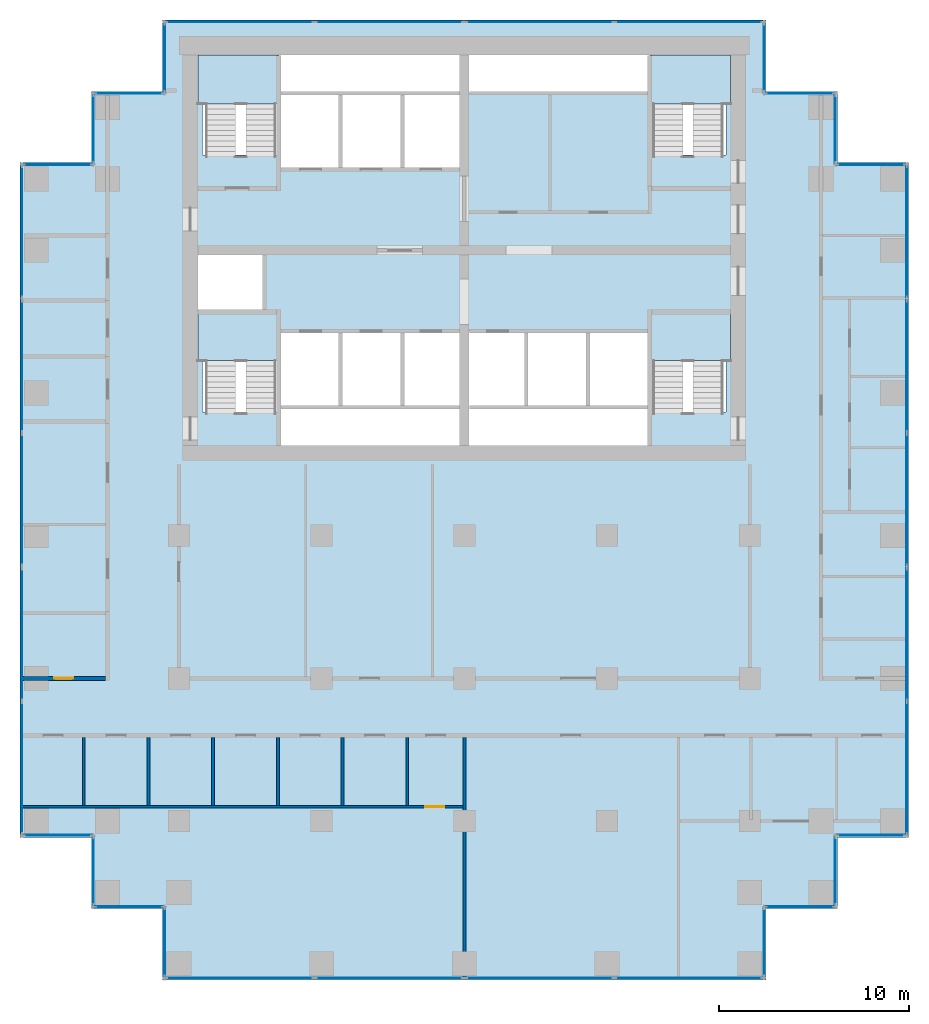
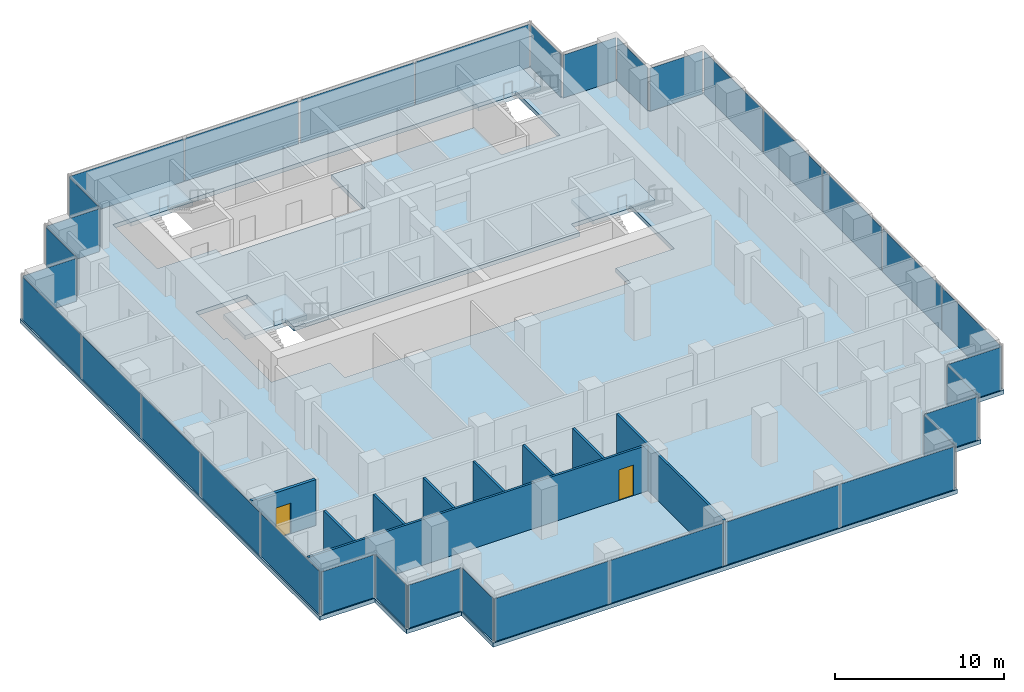
# One storey, part 6 of 11: 34 plates, 9 walls, 5 slabs, 2 doors, 2 openings, 30 elements without a shape of their own.
"""IFC4 building model written with IfcOpenShell, lengths in metres."""

import ifcopenshell
import ifcopenshell.guid

model = None  # the IFC model being written
_history = None  # IfcOwnerHistory: only IFC2X3 demands one
_inside = {}  # id of a spatial element -> (the spatial element, [elements in it])
_under = {}  # id of a project, library or spatial element -> (it, [spatial elements below it])
_declared = {}  # id of a project -> (the project, [libraries it declares])
_typed = {}  # id of a type object -> (the type object, [elements of that type])
_made_of = {}  # id of a material, layer set ... -> (it, [elements and type objects made of it])


def new_model(schema):
    """Start an empty IFC model of exactly this schema.

    Asked for "IFC4X3", IfcOpenShell would pick the latest addendum, in which some entities
    have other attributes; the version numbers below select the first issue.
    IFC2X3 requires an IfcOwnerHistory on every rooted entity: one is made here for all.
    """
    global model, _history
    if schema == "IFC4X3":
        model = ifcopenshell.file(schema_version=(4, 3, 0, 0))
    else:
        model = ifcopenshell.file(schema=schema)
    _inside.clear()
    _under.clear()
    _declared.clear()
    _typed.clear()
    _made_of.clear()
    _history = None
    if model.schema == "IFC2X3":
        org = make("IfcOrganization", Name="unknown")
        user = make(
            "IfcPersonAndOrganization",
            ThePerson=make("IfcPerson", FamilyName="unknown"),
            TheOrganization=org,
        )
        app = make(
            "IfcApplication",
            ApplicationDeveloper=org,
            Version="unknown",
            ApplicationFullName="unknown",
            ApplicationIdentifier="unknown",
        )
        _history = make(
            "IfcOwnerHistory",
            OwningUser=user,
            OwningApplication=app,
            ChangeAction="ADDED",
            CreationDate=0,
        )
    return model


def make(cls, **values):
    """One entity of the class cls with the attributes given. An attribute that is None is left unset."""
    return model.create_entity(
        cls, **{name: value for name, value in values.items() if value is not None}
    )


def rooted(cls, **values):
    """An entity with a GlobalId (a new one), such as an element, a storey or a relation."""
    return make(cls, GlobalId=ifcopenshell.guid.new(), OwnerHistory=_history, **values)


def si_unit(unit_type, name, prefix=None):
    """IfcSIUnit, for example si_unit("LENGTHUNIT", "METRE", prefix="MILLI")."""
    return make("IfcSIUnit", UnitType=unit_type, Prefix=prefix, Name=name)


def assignment(units):
    """IfcUnitAssignment: the units of a project."""
    return None if units is None else make("IfcUnitAssignment", Units=units)


def point(xyz):
    """IfcCartesianPoint."""
    return None if xyz is None else make("IfcCartesianPoint", Coordinates=xyz)


def direction(xyz):
    """IfcDirection."""
    return None if xyz is None else make("IfcDirection", DirectionRatios=xyz)


def frame(location, z_axis=None, x_axis=None):
    """IfcAxis2Placement3D, a coordinate frame: its origin and axes. An axis left out is left unset."""
    return make(
        "IfcAxis2Placement3D",
        Location=point(location),
        Axis=direction(z_axis),
        RefDirection=direction(x_axis),
    )


def frame_2d(location, x_axis=None):
    """IfcAxis2Placement2D, a coordinate frame in the plane: its origin and x axis."""
    return make(
        "IfcAxis2Placement2D", Location=point(location), RefDirection=direction(x_axis)
    )


def origin():
    """The frame at (0, 0, 0) with its axes left unset."""
    return frame((0.0, 0.0, 0.0))


def origin_2d():
    """The frame at (0, 0) in the plane with its x axis left unset."""
    return frame_2d((0.0, 0.0))


def place(relative_to, where):
    """IfcLocalPlacement: puts the frame where relative to a parent placement (None: the world)."""
    return make(
        "IfcLocalPlacement", PlacementRelTo=relative_to, RelativePlacement=where
    )


def context(
    kind, dimensions, precision=None, world=None, true_north=None, identifier=None
):
    """IfcGeometricRepresentationContext, for example the 3D "Model" context."""
    return make(
        "IfcGeometricRepresentationContext",
        ContextIdentifier=identifier,
        ContextType=kind,
        CoordinateSpaceDimension=dimensions,
        Precision=precision,
        WorldCoordinateSystem=world,
        TrueNorth=true_north,
    )


def subcontext(parent, identifier, kind, view, scale=None):
    """IfcGeometricRepresentationSubContext, for example "Body" below "Model"."""
    return make(
        "IfcGeometricRepresentationSubContext",
        ContextIdentifier=identifier,
        ContextType=kind,
        ParentContext=parent,
        TargetScale=scale,
        TargetView=view,
    )


def project(units=None, contexts=None):
    """IfcProject with its units and contexts."""
    return rooted(
        "IfcProject",
        Name="project",
        RepresentationContexts=contexts,
        UnitsInContext=assignment(units),
    )


def spatial(cls, under=None, at=None, **own):
    """A site, building, storey or space (cls), placed at a placement, below another one or the project."""
    s = rooted(cls, ObjectPlacement=at, **own)
    if under is not None:
        _under.setdefault(under.id(), (under, []))[1].append(s)
    return s


def polyline(points):
    """IfcPolyline through the points."""
    return make("IfcPolyline", Points=[point(p) for p in points])


def profile(cls, at=None, kind="AREA", **sizes):
    """A parametric profile (cls). Its sizes go by their IFC names, for example OverallWidth=200.0."""
    return make(cls, ProfileType=kind, Position=at, **sizes)


def rectangle(**sizes):
    """IfcRectangleProfileDef."""
    return profile("IfcRectangleProfileDef", **sizes)


def outline(outer, holes=None, kind="AREA"):
    """IfcArbitraryClosedProfileDef: a profile drawn as a closed curve; with holes, ...WithVoids."""
    if holes is None:
        return make("IfcArbitraryClosedProfileDef", ProfileType=kind, OuterCurve=outer)
    return make(
        "IfcArbitraryProfileDefWithVoids",
        ProfileType=kind,
        OuterCurve=outer,
        InnerCurves=holes,
    )


def extrude(swept, where, along, depth):
    """IfcExtrudedAreaSolid: the profile swept, set in the frame where, extruded along a direction by depth."""
    return make(
        "IfcExtrudedAreaSolid",
        SweptArea=swept,
        Position=where,
        ExtrudedDirection=direction(along),
        Depth=depth,
    )


def shape(context_of_items, identifier, shape_type, items):
    """IfcShapeRepresentation: the items that make up one representation, for example the "Body"."""
    return make(
        "IfcShapeRepresentation",
        ContextOfItems=context_of_items,
        RepresentationIdentifier=identifier,
        RepresentationType=shape_type,
        Items=items,
    )


def material(Name=None, Category=None):
    """IfcMaterial."""
    return make("IfcMaterial", Name=Name, Category=Category)


def layer(
    of_material, thickness, ventilated=None, Name=None, Category=None, Priority=None
):
    """IfcMaterialLayer: one layer of a wall or slab, of a material (None: an air gap)."""
    return make(
        "IfcMaterialLayer",
        Material=of_material,
        LayerThickness=thickness,
        IsVentilated=ventilated,
        Name=Name,
        Category=Category,
        Priority=Priority,
    )


def layer_set(layers, Name=None):
    """IfcMaterialLayerSet."""
    return make("IfcMaterialLayerSet", MaterialLayers=layers, LayerSetName=Name)


def made_of(thing, what):
    """Note that an element or type object is made of a material, layer set ...; save() writes the relation."""
    if what is not None:
        _made_of.setdefault(what.id(), (what, []))[1].append(thing)
    return thing


def type_object(cls, material=None, **own):
    """A type object (cls), such as IfcWallType, which elements share."""
    return made_of(rooted(cls, **own), material)


def element(
    cls,
    number,
    at=None,
    inside=None,
    cuts=None,
    type_object=None,
    material=None,
    context=None,
    identifier="Body",
    shape_type=None,
    held_by="IfcProductDefinitionShape",
    body=None,
    shapes=None,
    **own,
):
    """One element of the class cls, such as IfcWall. Its Tag is "e" and its number.

    at: its placement. inside: the storey or other place that contains it. cuts: it is an
    opening in that element (IfcRelVoidsElement). A single representation is given by context,
    identifier, shape_type and body (its items); several are given by shapes. held_by: the class
    of the entity that holds the representations. save() writes the other relations.
    """
    e = rooted(cls, Tag="e%d" % number, ObjectPlacement=at, **own)
    if body is not None:
        shapes = [shape(context, identifier, shape_type, body)]
    if shapes is not None:
        e.Representation = make(held_by, Representations=shapes)
    if inside is not None:
        _inside.setdefault(inside.id(), (inside, []))[1].append(e)
    if cuts is not None:
        rooted(
            "IfcRelVoidsElement", RelatingBuildingElement=cuts, RelatedOpeningElement=e
        )
    if type_object is not None:
        _typed.setdefault(type_object.id(), (type_object, []))[1].append(e)
    return made_of(e, material)


def fill(opening, filler):
    """IfcRelFillsElement: the door or window that sits in an opening."""
    return rooted(
        "IfcRelFillsElement",
        RelatingOpeningElement=opening,
        RelatedBuildingElement=filler,
    )


def aggregate(whole, parts):
    """IfcRelAggregates: a whole, such as a stair, and the parts it consists of."""
    return rooted("IfcRelAggregates", RelatingObject=whole, RelatedObjects=parts)


def save(model, path):
    """Write the relations noted so far, then the file.

    IfcRelAggregates (storeys below a building ...), IfcRelContainedInSpatialStructure (elements
    in a storey), IfcRelDefinesByType, IfcRelAssociatesMaterial and IfcRelDeclares: one each for
    every whole, place, type object, material and project.
    """
    for whole, parts in _under.values():
        aggregate(whole, parts)
    for where, things in _inside.values():
        rooted(
            "IfcRelContainedInSpatialStructure",
            RelatedElements=things,
            RelatingStructure=where,
        )
    for kind, things in _typed.values():
        rooted("IfcRelDefinesByType", RelatedObjects=things, RelatingType=kind)
    for what, things in _made_of.values():
        rooted("IfcRelAssociatesMaterial", RelatedObjects=things, RelatingMaterial=what)
    for by, libraries in _declared.values():
        rooted("IfcRelDeclares", RelatingContext=by, RelatedDefinitions=libraries)
    model.write(path)


model = new_model("IFC4")

# Units and contexts
model_context = context("Model", 3, precision=1e-05, world=origin(), true_north=direction((0.0, 1.0)))
body_context = subcontext(model_context, "Body", "Model", "MODEL_VIEW")
ifc_project = project(units=[si_unit("LENGTHUNIT", "METRE"), si_unit("AREAUNIT", "SQUARE_METRE"), si_unit("VOLUMEUNIT", "CUBIC_METRE"), si_unit("PLANEANGLEUNIT", "RADIAN"), si_unit("MASSUNIT", "GRAM", prefix="KILO")], contexts=[model_context])

# Site, building, storey
site_placement = place(None, origin())
site = spatial("IfcSite", under=ifc_project, at=site_placement, CompositionType="ELEMENT")
building_placement = place(site_placement, origin())
building = spatial("IfcBuilding", under=site, at=building_placement, Name="Pilkhan Gate Tower", CompositionType="ELEMENT")
storey_placement = place(building_placement, frame((0.0, 0.0, 121.60009765625)))
storey = spatial("IfcBuildingStorey", under=building, at=storey_placement, Name="L30", CompositionType="ELEMENT", Elevation=121.60009765625)

# Slab
ifc_material_1 = material(Name="Concrete C40/50", Category="concrete")
ifc_layer_1 = layer(ifc_material_1, 0.300048828125)
ifc_layer_set_1 = layer_set([ifc_layer_1], Name="Flat plate slab FP300")
slab_type_1 = type_object("IfcSlabType", Name="Flat plate slab FP300", PredefinedType="FLOOR", material=ifc_layer_set_1)
slab_1_placement = place(storey_placement, frame((0.0, 0.0, -0.300048828125)))
element("IfcSlab", 1, at=slab_1_placement, inside=storey, type_object=slab_type_1, Name="Floor slab L30", PredefinedType="FLOOR", context=body_context, shape_type="SweptSolid", body=[
    extrude(outline(polyline([(94.60009765625, 47.89990234375), (90.85009765625, 47.89990234375), (90.85009765625, 44.14990234375), (59.14990234375, 44.14990234375), (59.14990234375, 47.89990234375), (55.39990234375, 47.89990234375), (55.39990234375, 51.64990234375), (51.64990234375, 51.64990234375), (51.64990234375, 87.10009765625), (55.39990234375, 87.10009765625), (55.39990234375, 90.85009765625), (59.14990234375, 90.85009765625), (59.14990234375, 94.60009765625), (90.85009765625, 94.60009765625), (90.85009765625, 90.85009765625), (94.60009765625, 90.85009765625), (94.60009765625, 87.10009765625), (98.35009765625, 87.10009765625), (98.35009765625, 51.64990234375), (94.60009765625, 51.64990234375), (94.60009765625, 47.89990234375)]), holes=[polyline([(65.25, 87.5), (65.25, 86.75), (68.5, 86.75), (71.75, 86.75), (75.0, 86.75), (75.0, 90.75), (84.75, 90.75), (84.75, 87.5), (88.75, 87.5), (88.75, 92.75), (84.75, 92.75), (75.0, 92.75), (65.25, 92.75), (61.25, 92.75), (61.25, 87.5), (65.25, 87.5)]), polyline([(75.0, 72.25), (84.75, 72.25), (84.75, 74.0), (88.75, 74.0), (88.75, 79.25), (84.75, 79.25), (84.75, 78.25), (81.5, 78.25), (78.25, 78.25), (75.0, 78.25), (71.75, 78.25), (68.5, 78.25), (65.25, 78.25), (65.25, 79.25), (64.5, 79.25), (64.5, 82.5), (61.25, 82.5), (61.0, 82.5), (61.0, 79.25), (61.25, 79.25), (61.25, 74.0), (65.25, 74.0), (65.25, 72.25), (75.0, 72.25)])]), origin(), (0.0, 0.0, 1.0), 0.300048828125),
])

# Curtain wall, plates
ifc_material_2 = material(Name="Pale anodised aluminium, clear low-iron double glazing", Category="aluminium")
curtain_wall_type = type_object("IfcCurtainWallType", Name="Office unitised curtain wall CW-O1", PredefinedType="USERDEFINED", material=ifc_material_2)
curtain_wall_1_placement = place(storey_placement, origin())
curtain_wall_1 = element("IfcCurtainWall", 2, at=curtain_wall_1_placement, inside=storey, type_object=curtain_wall_type, Name="Office unitised curtain wall CW-O1 L30 E", ObjectType="UNITISED CURTAIN WALL", PredefinedType="USERDEFINED")
ifc_material_3 = material(Name="Clear low-iron double glazing", Category="glass")
ifc_layer_2 = layer(ifc_material_3, 0.0400390625)
ifc_layer_set_2 = layer_set([ifc_layer_2], Name="Glass panel CW-O1 40")
plate_type = type_object("IfcPlateType", Name="Glass panel CW-O1 40", PredefinedType="CURTAIN_PANEL", material=ifc_layer_set_2)
plate_1_placement = place(storey_placement, frame((98.25, 55.29248046875, -0.000244140625), z_axis=(0.0, 0.0, 1.0), x_axis=(0.0, 1.0, 0.0)))
plate_1 = element("IfcPlate", 3, at=plate_1_placement, type_object=plate_type, Name="CW-O1 panel 1", PredefinedType="CURTAIN_PANEL", context=body_context, shape_type="SweptSolid", body=[
    extrude(rectangle(XDim=6.945068359375, YDim=0.0400390625, at=origin_2d()), origin(), (0.0, 0.0, 1.0), 3.10009765625),
])
plate_2_placement = place(storey_placement, frame((98.25, 62.3076171875, -0.000244140625), z_axis=(0.0, 0.0, 1.0), x_axis=(0.0, 1.0, 0.0)))
plate_2 = element("IfcPlate", 4, at=plate_2_placement, type_object=plate_type, Name="CW-O1 panel 2", PredefinedType="CURTAIN_PANEL", context=body_context, shape_type="SweptSolid", body=[
    extrude(rectangle(XDim=6.945068359375, YDim=0.0400390625, at=origin_2d()), origin(), (0.0, 0.0, 1.0), 3.10009765625),
])
aggregate(curtain_wall_1, [plate_1, plate_2])

curtain_wall_2_placement = place(storey_placement, origin())
curtain_wall_2 = element("IfcCurtainWall", 5, at=curtain_wall_2_placement, inside=storey, type_object=curtain_wall_type, Name="Office unitised curtain wall CW-O1 L30 E", ObjectType="UNITISED CURTAIN WALL", PredefinedType="USERDEFINED")
plate_3_placement = place(storey_placement, frame((98.25, 69.392578125, -0.000244140625), z_axis=(0.0, 0.0, 1.0), x_axis=(0.0, 1.0, 0.0)))
plate_3 = element("IfcPlate", 6, at=plate_3_placement, type_object=plate_type, Name="CW-O1 panel 1", PredefinedType="CURTAIN_PANEL", context=body_context, shape_type="SweptSolid", body=[
    extrude(rectangle(XDim=6.945068359375, YDim=0.0400390625, at=origin_2d()), origin(), (0.0, 0.0, 1.0), 3.10009765625),
])
plate_4_placement = place(storey_placement, frame((98.25, 76.407470703125, -0.000244140625), z_axis=(0.0, 0.0, 1.0), x_axis=(0.0, 1.0, 0.0)))
plate_4 = element("IfcPlate", 7, at=plate_4_placement, type_object=plate_type, Name="CW-O1 panel 2", PredefinedType="CURTAIN_PANEL", context=body_context, shape_type="SweptSolid", body=[
    extrude(rectangle(XDim=6.945068359375, YDim=0.0400390625, at=origin_2d()), origin(), (0.0, 0.0, 1.0), 3.10009765625),
])
aggregate(curtain_wall_2, [plate_3, plate_4])

# Curtain wall, plate
curtain_wall_3_placement = place(storey_placement, origin())
curtain_wall_3 = element("IfcCurtainWall", 8, at=curtain_wall_3_placement, inside=storey, type_object=curtain_wall_type, Name="Office unitised curtain wall CW-O1 L30 E", ObjectType="UNITISED CURTAIN WALL", PredefinedType="USERDEFINED")
plate_5_placement = place(storey_placement, frame((98.25, 83.47509765625, -0.000244140625), z_axis=(0.0, 0.0, 1.0), x_axis=(0.0, 1.0, 0.0)))
plate_5 = element("IfcPlate", 9, at=plate_5_placement, type_object=plate_type, Name="CW-O1 panel 1", PredefinedType="CURTAIN_PANEL", context=body_context, shape_type="SweptSolid", body=[
    extrude(rectangle(XDim=6.909912109375, YDim=0.0400390625, at=origin_2d()), origin(), (0.0, 0.0, 1.0), 3.10009765625),
])
aggregate(curtain_wall_3, [plate_5])

curtain_wall_4_placement = place(storey_placement, origin())
curtain_wall_4 = element("IfcCurtainWall", 10, at=curtain_wall_4_placement, inside=storey, type_object=curtain_wall_type, Name="Office unitised curtain wall CW-O1 L30 N", ObjectType="UNITISED CURTAIN WALL", PredefinedType="USERDEFINED")
plate_6_placement = place(storey_placement, frame((96.375, 87.0, -0.000244140625), z_axis=(0.0, 0.0, 1.0), x_axis=(1.0, 0.0, 0.0)))
plate_6 = element("IfcPlate", 11, at=plate_6_placement, type_object=plate_type, Name="CW-O1 panel 1", PredefinedType="CURTAIN_PANEL", context=body_context, shape_type="SweptSolid", body=[
    extrude(rectangle(XDim=3.610107421875, YDim=0.0400390625, at=origin_2d()), origin(), (0.0, 0.0, 1.0), 3.10009765625),
])
aggregate(curtain_wall_4, [plate_6])

curtain_wall_5_placement = place(storey_placement, origin())
curtain_wall_5 = element("IfcCurtainWall", 12, at=curtain_wall_5_placement, inside=storey, type_object=curtain_wall_type, Name="Office unitised curtain wall CW-O1 L30 E", ObjectType="UNITISED CURTAIN WALL", PredefinedType="USERDEFINED")
plate_7_placement = place(storey_placement, frame((94.5, 88.875, -0.000244140625), z_axis=(0.0, 0.0, 1.0), x_axis=(0.0, 1.0, 0.0)))
plate_7 = element("IfcPlate", 13, at=plate_7_placement, type_object=plate_type, Name="CW-O1 panel 1", PredefinedType="CURTAIN_PANEL", context=body_context, shape_type="SweptSolid", body=[
    extrude(rectangle(XDim=3.610107421875, YDim=0.0400390625, at=origin_2d()), origin(), (0.0, 0.0, 1.0), 3.10009765625),
])
aggregate(curtain_wall_5, [plate_7])

curtain_wall_6_placement = place(storey_placement, origin())
curtain_wall_6 = element("IfcCurtainWall", 14, at=curtain_wall_6_placement, inside=storey, type_object=curtain_wall_type, Name="Office unitised curtain wall CW-O1 L30 N", ObjectType="UNITISED CURTAIN WALL", PredefinedType="USERDEFINED")
plate_8_placement = place(storey_placement, frame((92.625, 90.75, -0.000244140625), z_axis=(0.0, 0.0, 1.0), x_axis=(1.0, 0.0, 0.0)))
plate_8 = element("IfcPlate", 15, at=plate_8_placement, type_object=plate_type, Name="CW-O1 panel 1", PredefinedType="CURTAIN_PANEL", context=body_context, shape_type="SweptSolid", body=[
    extrude(rectangle(XDim=3.610107421875, YDim=0.0400390625, at=origin_2d()), origin(), (0.0, 0.0, 1.0), 3.10009765625),
])
aggregate(curtain_wall_6, [plate_8])

curtain_wall_7_placement = place(storey_placement, origin())
curtain_wall_7 = element("IfcCurtainWall", 16, at=curtain_wall_7_placement, inside=storey, type_object=curtain_wall_type, Name="Office unitised curtain wall CW-O1 L30 E", ObjectType="UNITISED CURTAIN WALL", PredefinedType="USERDEFINED")
plate_9_placement = place(storey_placement, frame((90.75, 92.625, -0.000244140625), z_axis=(0.0, 0.0, 1.0), x_axis=(0.0, 1.0, 0.0)))
plate_9 = element("IfcPlate", 17, at=plate_9_placement, type_object=plate_type, Name="CW-O1 panel 1", PredefinedType="CURTAIN_PANEL", context=body_context, shape_type="SweptSolid", body=[
    extrude(rectangle(XDim=3.610107421875, YDim=0.0400390625, at=origin_2d()), origin(), (0.0, 0.0, 1.0), 3.10009765625),
])
aggregate(curtain_wall_7, [plate_9])

# Curtain wall, plates
curtain_wall_8_placement = place(storey_placement, origin())
curtain_wall_8 = element("IfcCurtainWall", 18, at=curtain_wall_8_placement, inside=storey, type_object=curtain_wall_type, Name="Office unitised curtain wall CW-O1 L30 N", ObjectType="UNITISED CURTAIN WALL", PredefinedType="USERDEFINED")
plate_10_placement = place(storey_placement, frame((63.205078125, 94.5, -0.000244140625), z_axis=(0.0, 0.0, 1.0), x_axis=(1.0, 0.0, 0.0)))
plate_10 = element("IfcPlate", 19, at=plate_10_placement, type_object=plate_type, Name="CW-O1 panel 1", PredefinedType="CURTAIN_PANEL", context=body_context, shape_type="SweptSolid", body=[
    extrude(rectangle(XDim=7.77001953125, YDim=0.0400390625, at=origin_2d()), origin(), (0.0, 0.0, 1.0), 3.10009765625),
])
plate_11_placement = place(storey_placement, frame((71.044921875, 94.5, -0.000244140625), z_axis=(0.0, 0.0, 1.0), x_axis=(1.0, 0.0, 0.0)))
plate_11 = element("IfcPlate", 20, at=plate_11_placement, type_object=plate_type, Name="CW-O1 panel 2", PredefinedType="CURTAIN_PANEL", context=body_context, shape_type="SweptSolid", body=[
    extrude(rectangle(XDim=7.77001953125, YDim=0.0400390625, at=origin_2d()), origin(), (0.0, 0.0, 1.0), 3.10009765625),
])
aggregate(curtain_wall_8, [plate_10, plate_11])

curtain_wall_9_placement = place(storey_placement, origin())
curtain_wall_9 = element("IfcCurtainWall", 21, at=curtain_wall_9_placement, inside=storey, type_object=curtain_wall_type, Name="Office unitised curtain wall CW-O1 L30 N", ObjectType="UNITISED CURTAIN WALL", PredefinedType="USERDEFINED")
plate_12_placement = place(storey_placement, frame((78.955078125, 94.5, -0.000244140625), z_axis=(0.0, 0.0, 1.0), x_axis=(1.0, 0.0, 0.0)))
plate_12 = element("IfcPlate", 22, at=plate_12_placement, type_object=plate_type, Name="CW-O1 panel 1", PredefinedType="CURTAIN_PANEL", context=body_context, shape_type="SweptSolid", body=[
    extrude(rectangle(XDim=7.77001953125, YDim=0.0400390625, at=origin_2d()), origin(), (0.0, 0.0, 1.0), 3.10009765625),
])
plate_13_placement = place(storey_placement, frame((86.794921875, 94.5, -0.000244140625), z_axis=(0.0, 0.0, 1.0), x_axis=(1.0, 0.0, 0.0)))
plate_13 = element("IfcPlate", 23, at=plate_13_placement, type_object=plate_type, Name="CW-O1 panel 2", PredefinedType="CURTAIN_PANEL", context=body_context, shape_type="SweptSolid", body=[
    extrude(rectangle(XDim=7.77001953125, YDim=0.0400390625, at=origin_2d()), origin(), (0.0, 0.0, 1.0), 3.10009765625),
])
aggregate(curtain_wall_9, [plate_12, plate_13])

# Curtain wall, plate
curtain_wall_10_placement = place(storey_placement, origin())
curtain_wall_10 = element("IfcCurtainWall", 24, at=curtain_wall_10_placement, inside=storey, type_object=curtain_wall_type, Name="Office unitised curtain wall CW-O1 L30 W", ObjectType="UNITISED CURTAIN WALL", PredefinedType="USERDEFINED")
plate_14_placement = place(storey_placement, frame((59.25, 92.625, -0.000244140625), z_axis=(0.0, 0.0, 1.0), x_axis=(0.0, 1.0, 0.0)))
plate_14 = element("IfcPlate", 25, at=plate_14_placement, type_object=plate_type, Name="CW-O1 panel 1", PredefinedType="CURTAIN_PANEL", context=body_context, shape_type="SweptSolid", body=[
    extrude(rectangle(XDim=3.610107421875, YDim=0.0400390625, at=origin_2d()), origin(), (0.0, 0.0, 1.0), 3.10009765625),
])
aggregate(curtain_wall_10, [plate_14])

curtain_wall_11_placement = place(storey_placement, origin())
curtain_wall_11 = element("IfcCurtainWall", 26, at=curtain_wall_11_placement, inside=storey, type_object=curtain_wall_type, Name="Office unitised curtain wall CW-O1 L30 N", ObjectType="UNITISED CURTAIN WALL", PredefinedType="USERDEFINED")
plate_15_placement = place(storey_placement, frame((57.375, 90.75, -0.000244140625), z_axis=(0.0, 0.0, 1.0), x_axis=(1.0, 0.0, 0.0)))
plate_15 = element("IfcPlate", 27, at=plate_15_placement, type_object=plate_type, Name="CW-O1 panel 1", PredefinedType="CURTAIN_PANEL", context=body_context, shape_type="SweptSolid", body=[
    extrude(rectangle(XDim=3.610107421875, YDim=0.0400390625, at=origin_2d()), origin(), (0.0, 0.0, 1.0), 3.10009765625),
])
aggregate(curtain_wall_11, [plate_15])

curtain_wall_12_placement = place(storey_placement, origin())
curtain_wall_12 = element("IfcCurtainWall", 28, at=curtain_wall_12_placement, inside=storey, type_object=curtain_wall_type, Name="Office unitised curtain wall CW-O1 L30 W", ObjectType="UNITISED CURTAIN WALL", PredefinedType="USERDEFINED")
plate_16_placement = place(storey_placement, frame((55.5, 88.875, -0.000244140625), z_axis=(0.0, 0.0, 1.0), x_axis=(0.0, 1.0, 0.0)))
plate_16 = element("IfcPlate", 29, at=plate_16_placement, type_object=plate_type, Name="CW-O1 panel 1", PredefinedType="CURTAIN_PANEL", context=body_context, shape_type="SweptSolid", body=[
    extrude(rectangle(XDim=3.610107421875, YDim=0.0400390625, at=origin_2d()), origin(), (0.0, 0.0, 1.0), 3.10009765625),
])
aggregate(curtain_wall_12, [plate_16])

curtain_wall_13_placement = place(storey_placement, origin())
curtain_wall_13 = element("IfcCurtainWall", 30, at=curtain_wall_13_placement, inside=storey, type_object=curtain_wall_type, Name="Office unitised curtain wall CW-O1 L30 N", ObjectType="UNITISED CURTAIN WALL", PredefinedType="USERDEFINED")
plate_17_placement = place(storey_placement, frame((53.625, 87.0, -0.000244140625), z_axis=(0.0, 0.0, 1.0), x_axis=(1.0, 0.0, 0.0)))
plate_17 = element("IfcPlate", 31, at=plate_17_placement, type_object=plate_type, Name="CW-O1 panel 1", PredefinedType="CURTAIN_PANEL", context=body_context, shape_type="SweptSolid", body=[
    extrude(rectangle(XDim=3.610107421875, YDim=0.0400390625, at=origin_2d()), origin(), (0.0, 0.0, 1.0), 3.10009765625),
])
aggregate(curtain_wall_13, [plate_17])

# Curtain wall, plates
curtain_wall_14_placement = place(storey_placement, origin())
curtain_wall_14 = element("IfcCurtainWall", 32, at=curtain_wall_14_placement, inside=storey, type_object=curtain_wall_type, Name="Office unitised curtain wall CW-O1 L30 W", ObjectType="UNITISED CURTAIN WALL", PredefinedType="USERDEFINED")
plate_18_placement = place(storey_placement, frame((51.75, 55.29248046875, -0.000244140625), z_axis=(0.0, 0.0, 1.0), x_axis=(0.0, 1.0, 0.0)))
plate_18 = element("IfcPlate", 33, at=plate_18_placement, type_object=plate_type, Name="CW-O1 panel 1", PredefinedType="CURTAIN_PANEL", context=body_context, shape_type="SweptSolid", body=[
    extrude(rectangle(XDim=6.945068359375, YDim=0.0400390625, at=origin_2d()), origin(), (0.0, 0.0, 1.0), 3.10009765625),
])
plate_19_placement = place(storey_placement, frame((51.75, 62.3076171875, -0.000244140625), z_axis=(0.0, 0.0, 1.0), x_axis=(0.0, 1.0, 0.0)))
plate_19 = element("IfcPlate", 34, at=plate_19_placement, type_object=plate_type, Name="CW-O1 panel 2", PredefinedType="CURTAIN_PANEL", context=body_context, shape_type="SweptSolid", body=[
    extrude(rectangle(XDim=6.945068359375, YDim=0.0400390625, at=origin_2d()), origin(), (0.0, 0.0, 1.0), 3.10009765625),
])
aggregate(curtain_wall_14, [plate_18, plate_19])

curtain_wall_15_placement = place(storey_placement, origin())
curtain_wall_15 = element("IfcCurtainWall", 35, at=curtain_wall_15_placement, inside=storey, type_object=curtain_wall_type, Name="Office unitised curtain wall CW-O1 L30 W", ObjectType="UNITISED CURTAIN WALL", PredefinedType="USERDEFINED")
plate_20_placement = place(storey_placement, frame((51.75, 69.392578125, -0.000244140625), z_axis=(0.0, 0.0, 1.0), x_axis=(0.0, 1.0, 0.0)))
plate_20 = element("IfcPlate", 36, at=plate_20_placement, type_object=plate_type, Name="CW-O1 panel 1", PredefinedType="CURTAIN_PANEL", context=body_context, shape_type="SweptSolid", body=[
    extrude(rectangle(XDim=6.945068359375, YDim=0.0400390625, at=origin_2d()), origin(), (0.0, 0.0, 1.0), 3.10009765625),
])
plate_21_placement = place(storey_placement, frame((51.75, 76.407470703125, -0.000244140625), z_axis=(0.0, 0.0, 1.0), x_axis=(0.0, 1.0, 0.0)))
plate_21 = element("IfcPlate", 37, at=plate_21_placement, type_object=plate_type, Name="CW-O1 panel 2", PredefinedType="CURTAIN_PANEL", context=body_context, shape_type="SweptSolid", body=[
    extrude(rectangle(XDim=6.945068359375, YDim=0.0400390625, at=origin_2d()), origin(), (0.0, 0.0, 1.0), 3.10009765625),
])
aggregate(curtain_wall_15, [plate_20, plate_21])

# Curtain wall, plate
curtain_wall_16_placement = place(storey_placement, origin())
curtain_wall_16 = element("IfcCurtainWall", 38, at=curtain_wall_16_placement, inside=storey, type_object=curtain_wall_type, Name="Office unitised curtain wall CW-O1 L30 W", ObjectType="UNITISED CURTAIN WALL", PredefinedType="USERDEFINED")
plate_22_placement = place(storey_placement, frame((51.75, 83.47509765625, -0.000244140625), z_axis=(0.0, 0.0, 1.0), x_axis=(0.0, 1.0, 0.0)))
plate_22 = element("IfcPlate", 39, at=plate_22_placement, type_object=plate_type, Name="CW-O1 panel 1", PredefinedType="CURTAIN_PANEL", context=body_context, shape_type="SweptSolid", body=[
    extrude(rectangle(XDim=6.909912109375, YDim=0.0400390625, at=origin_2d()), origin(), (0.0, 0.0, 1.0), 3.10009765625),
])
aggregate(curtain_wall_16, [plate_22])

curtain_wall_17_placement = place(storey_placement, origin())
curtain_wall_17 = element("IfcCurtainWall", 40, at=curtain_wall_17_placement, inside=storey, type_object=curtain_wall_type, Name="Office unitised curtain wall CW-O1 L30 S", ObjectType="UNITISED CURTAIN WALL", PredefinedType="USERDEFINED")
plate_23_placement = place(storey_placement, frame((53.625, 51.75, -0.000244140625), z_axis=(0.0, 0.0, 1.0), x_axis=(1.0, 0.0, 0.0)))
plate_23 = element("IfcPlate", 41, at=plate_23_placement, type_object=plate_type, Name="CW-O1 panel 1", PredefinedType="CURTAIN_PANEL", context=body_context, shape_type="SweptSolid", body=[
    extrude(rectangle(XDim=3.610107421875, YDim=0.0400390625, at=origin_2d()), origin(), (0.0, 0.0, 1.0), 3.10009765625),
])
aggregate(curtain_wall_17, [plate_23])

curtain_wall_18_placement = place(storey_placement, origin())
curtain_wall_18 = element("IfcCurtainWall", 42, at=curtain_wall_18_placement, inside=storey, type_object=curtain_wall_type, Name="Office unitised curtain wall CW-O1 L30 W", ObjectType="UNITISED CURTAIN WALL", PredefinedType="USERDEFINED")
plate_24_placement = place(storey_placement, frame((55.5, 49.875, -0.000244140625), z_axis=(0.0, 0.0, 1.0), x_axis=(0.0, 1.0, 0.0)))
plate_24 = element("IfcPlate", 43, at=plate_24_placement, type_object=plate_type, Name="CW-O1 panel 1", PredefinedType="CURTAIN_PANEL", context=body_context, shape_type="SweptSolid", body=[
    extrude(rectangle(XDim=3.610107421875, YDim=0.0400390625, at=origin_2d()), origin(), (0.0, 0.0, 1.0), 3.10009765625),
])
aggregate(curtain_wall_18, [plate_24])

curtain_wall_19_placement = place(storey_placement, origin())
curtain_wall_19 = element("IfcCurtainWall", 44, at=curtain_wall_19_placement, inside=storey, type_object=curtain_wall_type, Name="Office unitised curtain wall CW-O1 L30 S", ObjectType="UNITISED CURTAIN WALL", PredefinedType="USERDEFINED")
plate_25_placement = place(storey_placement, frame((57.375, 48.0, -0.000244140625), z_axis=(0.0, 0.0, 1.0), x_axis=(1.0, 0.0, 0.0)))
plate_25 = element("IfcPlate", 45, at=plate_25_placement, type_object=plate_type, Name="CW-O1 panel 1", PredefinedType="CURTAIN_PANEL", context=body_context, shape_type="SweptSolid", body=[
    extrude(rectangle(XDim=3.610107421875, YDim=0.0400390625, at=origin_2d()), origin(), (0.0, 0.0, 1.0), 3.10009765625),
])
aggregate(curtain_wall_19, [plate_25])

curtain_wall_20_placement = place(storey_placement, origin())
curtain_wall_20 = element("IfcCurtainWall", 46, at=curtain_wall_20_placement, inside=storey, type_object=curtain_wall_type, Name="Office unitised curtain wall CW-O1 L30 W", ObjectType="UNITISED CURTAIN WALL", PredefinedType="USERDEFINED")
plate_26_placement = place(storey_placement, frame((59.25, 46.125, -0.000244140625), z_axis=(0.0, 0.0, 1.0), x_axis=(0.0, 1.0, 0.0)))
plate_26 = element("IfcPlate", 47, at=plate_26_placement, type_object=plate_type, Name="CW-O1 panel 1", PredefinedType="CURTAIN_PANEL", context=body_context, shape_type="SweptSolid", body=[
    extrude(rectangle(XDim=3.610107421875, YDim=0.0400390625, at=origin_2d()), origin(), (0.0, 0.0, 1.0), 3.10009765625),
])
aggregate(curtain_wall_20, [plate_26])

# Curtain wall, plates
curtain_wall_21_placement = place(storey_placement, origin())
curtain_wall_21 = element("IfcCurtainWall", 48, at=curtain_wall_21_placement, inside=storey, type_object=curtain_wall_type, Name="Office unitised curtain wall CW-O1 L30 S", ObjectType="UNITISED CURTAIN WALL", PredefinedType="USERDEFINED")
plate_27_placement = place(storey_placement, frame((63.205078125, 44.25, -0.000244140625), z_axis=(0.0, 0.0, 1.0), x_axis=(1.0, 0.0, 0.0)))
plate_27 = element("IfcPlate", 49, at=plate_27_placement, type_object=plate_type, Name="CW-O1 panel 1", PredefinedType="CURTAIN_PANEL", context=body_context, shape_type="SweptSolid", body=[
    extrude(rectangle(XDim=7.77001953125, YDim=0.0400390625, at=origin_2d()), origin(), (0.0, 0.0, 1.0), 3.10009765625),
])
plate_28_placement = place(storey_placement, frame((71.044921875, 44.25, -0.000244140625), z_axis=(0.0, 0.0, 1.0), x_axis=(1.0, 0.0, 0.0)))
plate_28 = element("IfcPlate", 50, at=plate_28_placement, type_object=plate_type, Name="CW-O1 panel 2", PredefinedType="CURTAIN_PANEL", context=body_context, shape_type="SweptSolid", body=[
    extrude(rectangle(XDim=7.77001953125, YDim=0.0400390625, at=origin_2d()), origin(), (0.0, 0.0, 1.0), 3.10009765625),
])
aggregate(curtain_wall_21, [plate_27, plate_28])

curtain_wall_22_placement = place(storey_placement, origin())
curtain_wall_22 = element("IfcCurtainWall", 51, at=curtain_wall_22_placement, inside=storey, type_object=curtain_wall_type, Name="Office unitised curtain wall CW-O1 L30 S", ObjectType="UNITISED CURTAIN WALL", PredefinedType="USERDEFINED")
plate_29_placement = place(storey_placement, frame((78.955078125, 44.25, -0.000244140625), z_axis=(0.0, 0.0, 1.0), x_axis=(1.0, 0.0, 0.0)))
plate_29 = element("IfcPlate", 52, at=plate_29_placement, type_object=plate_type, Name="CW-O1 panel 1", PredefinedType="CURTAIN_PANEL", context=body_context, shape_type="SweptSolid", body=[
    extrude(rectangle(XDim=7.77001953125, YDim=0.0400390625, at=origin_2d()), origin(), (0.0, 0.0, 1.0), 3.10009765625),
])
plate_30_placement = place(storey_placement, frame((86.794921875, 44.25, -0.000244140625), z_axis=(0.0, 0.0, 1.0), x_axis=(1.0, 0.0, 0.0)))
plate_30 = element("IfcPlate", 53, at=plate_30_placement, type_object=plate_type, Name="CW-O1 panel 2", PredefinedType="CURTAIN_PANEL", context=body_context, shape_type="SweptSolid", body=[
    extrude(rectangle(XDim=7.77001953125, YDim=0.0400390625, at=origin_2d()), origin(), (0.0, 0.0, 1.0), 3.10009765625),
])
aggregate(curtain_wall_22, [plate_29, plate_30])

# Curtain wall, plate
curtain_wall_23_placement = place(storey_placement, origin())
curtain_wall_23 = element("IfcCurtainWall", 54, at=curtain_wall_23_placement, inside=storey, type_object=curtain_wall_type, Name="Office unitised curtain wall CW-O1 L30 E", ObjectType="UNITISED CURTAIN WALL", PredefinedType="USERDEFINED")
plate_31_placement = place(storey_placement, frame((90.75, 46.125, -0.000244140625), z_axis=(0.0, 0.0, 1.0), x_axis=(0.0, 1.0, 0.0)))
plate_31 = element("IfcPlate", 55, at=plate_31_placement, type_object=plate_type, Name="CW-O1 panel 1", PredefinedType="CURTAIN_PANEL", context=body_context, shape_type="SweptSolid", body=[
    extrude(rectangle(XDim=3.610107421875, YDim=0.0400390625, at=origin_2d()), origin(), (0.0, 0.0, 1.0), 3.10009765625),
])
aggregate(curtain_wall_23, [plate_31])

curtain_wall_24_placement = place(storey_placement, origin())
curtain_wall_24 = element("IfcCurtainWall", 56, at=curtain_wall_24_placement, inside=storey, type_object=curtain_wall_type, Name="Office unitised curtain wall CW-O1 L30 S", ObjectType="UNITISED CURTAIN WALL", PredefinedType="USERDEFINED")
plate_32_placement = place(storey_placement, frame((92.625, 48.0, -0.000244140625), z_axis=(0.0, 0.0, 1.0), x_axis=(1.0, 0.0, 0.0)))
plate_32 = element("IfcPlate", 57, at=plate_32_placement, type_object=plate_type, Name="CW-O1 panel 1", PredefinedType="CURTAIN_PANEL", context=body_context, shape_type="SweptSolid", body=[
    extrude(rectangle(XDim=3.610107421875, YDim=0.0400390625, at=origin_2d()), origin(), (0.0, 0.0, 1.0), 3.10009765625),
])
aggregate(curtain_wall_24, [plate_32])

curtain_wall_25_placement = place(storey_placement, origin())
curtain_wall_25 = element("IfcCurtainWall", 58, at=curtain_wall_25_placement, inside=storey, type_object=curtain_wall_type, Name="Office unitised curtain wall CW-O1 L30 E", ObjectType="UNITISED CURTAIN WALL", PredefinedType="USERDEFINED")
plate_33_placement = place(storey_placement, frame((94.5, 49.875, -0.000244140625), z_axis=(0.0, 0.0, 1.0), x_axis=(0.0, 1.0, 0.0)))
plate_33 = element("IfcPlate", 59, at=plate_33_placement, type_object=plate_type, Name="CW-O1 panel 1", PredefinedType="CURTAIN_PANEL", context=body_context, shape_type="SweptSolid", body=[
    extrude(rectangle(XDim=3.610107421875, YDim=0.0400390625, at=origin_2d()), origin(), (0.0, 0.0, 1.0), 3.10009765625),
])
aggregate(curtain_wall_25, [plate_33])

curtain_wall_26_placement = place(storey_placement, origin())
curtain_wall_26 = element("IfcCurtainWall", 60, at=curtain_wall_26_placement, inside=storey, type_object=curtain_wall_type, Name="Office unitised curtain wall CW-O1 L30 S", ObjectType="UNITISED CURTAIN WALL", PredefinedType="USERDEFINED")
plate_34_placement = place(storey_placement, frame((96.375, 51.75, -0.000244140625), z_axis=(0.0, 0.0, 1.0), x_axis=(1.0, 0.0, 0.0)))
plate_34 = element("IfcPlate", 61, at=plate_34_placement, type_object=plate_type, Name="CW-O1 panel 1", PredefinedType="CURTAIN_PANEL", context=body_context, shape_type="SweptSolid", body=[
    extrude(rectangle(XDim=3.610107421875, YDim=0.0400390625, at=origin_2d()), origin(), (0.0, 0.0, 1.0), 3.10009765625),
])
aggregate(curtain_wall_26, [plate_34])

# Stair, slab
ifc_material_4 = material(Name="Concrete C40/50 precast", Category="concrete")
stair_type_1 = type_object("IfcStairType", Name="Stair ST1 164x280", PredefinedType="HALF_TURN_STAIR", material=ifc_material_4)
stair_1_placement = place(storey_placement, origin())
stair_1 = element("IfcStair", 62, at=stair_1_placement, inside=storey, type_object=stair_type_1, Name="Stair ST1 L30", PredefinedType="HALF_TURN_STAIR")
ifc_layer_3 = layer(ifc_material_1, 0.199951171875)
ifc_layer_set_3 = layer_set([ifc_layer_3], Name="Stair landing SL200")
slab_type_2 = type_object("IfcSlabType", Name="Stair landing SL200", PredefinedType="LANDING", material=ifc_layer_set_3)
slab_2_placement = place(storey_placement, frame((0.0, 0.0, 1.5)))
slab_2 = element("IfcSlab", 63, at=slab_2_placement, type_object=slab_type_2, Name="ST1 landing 1", PredefinedType="LANDING", context=body_context, shape_type="SweptSolid", body=[
    extrude(outline(polyline([(89.0, 76.699951171875), (89.0, 79.25), (84.75, 79.25), (84.75, 76.699951171875), (89.0, 76.699951171875)])), origin(), (0.0, 0.0, 1.0), 0.2998046875),
])
aggregate(stair_1, [slab_2])

stair_type_2 = type_object("IfcStairType", Name="Stair ST2 164x280", PredefinedType="HALF_TURN_STAIR", material=ifc_material_4)
stair_2_placement = place(storey_placement, origin())
stair_2 = element("IfcStair", 64, at=stair_2_placement, inside=storey, type_object=stair_type_2, Name="Stair ST2 L30", PredefinedType="HALF_TURN_STAIR")
slab_3_placement = place(storey_placement, frame((0.0, 0.0, 1.5)))
slab_3 = element("IfcSlab", 65, at=slab_3_placement, type_object=slab_type_2, Name="ST2 landing 1", PredefinedType="LANDING", context=body_context, shape_type="SweptSolid", body=[
    extrude(outline(polyline([(65.25, 76.699951171875), (65.25, 79.25), (61.0, 79.25), (61.0, 76.699951171875), (65.25, 76.699951171875)])), origin(), (0.0, 0.0, 1.0), 0.2998046875),
])
aggregate(stair_2, [slab_3])

stair_type_3 = type_object("IfcStairType", Name="Stair ST3 164x280", PredefinedType="HALF_TURN_STAIR", material=ifc_material_4)
stair_3_placement = place(storey_placement, origin())
stair_3 = element("IfcStair", 66, at=stair_3_placement, inside=storey, type_object=stair_type_3, Name="Stair ST3 L30", PredefinedType="HALF_TURN_STAIR")
slab_4_placement = place(storey_placement, frame((0.0, 0.0, 1.5)))
slab_4 = element("IfcSlab", 67, at=slab_4_placement, type_object=slab_type_2, Name="ST3 landing 1", PredefinedType="LANDING", context=body_context, shape_type="SweptSolid", body=[
    extrude(outline(polyline([(65.25, 90.199951171875), (65.25, 92.75), (61.0, 92.75), (61.0, 90.199951171875), (65.25, 90.199951171875)])), origin(), (0.0, 0.0, 1.0), 0.2998046875),
])
aggregate(stair_3, [slab_4])

stair_type_4 = type_object("IfcStairType", Name="Stair ST4 164x280", PredefinedType="HALF_TURN_STAIR", material=ifc_material_4)
stair_4_placement = place(storey_placement, origin())
stair_4 = element("IfcStair", 68, at=stair_4_placement, inside=storey, type_object=stair_type_4, Name="Stair ST4 L30", PredefinedType="HALF_TURN_STAIR")
slab_5_placement = place(storey_placement, frame((0.0, 0.0, 1.5)))
slab_5 = element("IfcSlab", 69, at=slab_5_placement, type_object=slab_type_2, Name="ST4 landing 1", PredefinedType="LANDING", context=body_context, shape_type="SweptSolid", body=[
    extrude(outline(polyline([(89.0, 90.199951171875), (89.0, 92.75), (84.75, 92.75), (84.75, 90.199951171875), (89.0, 90.199951171875)])), origin(), (0.0, 0.0, 1.0), 0.2998046875),
])
aggregate(stair_4, [slab_5])

# Wall, opening, door
ifc_material_5 = material(Name="Dense blockwork", Category="masonry")
ifc_layer_4 = layer(ifc_material_5, 0.199951171875)
ifc_layer_set_4 = layer_set([ifc_layer_4], Name="Lobby wall LW200")
wall_type_1 = type_object("IfcWallType", Name="Lobby wall LW200", PredefinedType="PARTITIONING", material=ifc_layer_set_4)
wall_1_placement = place(storey_placement, frame((51.735107421875, 60.0, 0.0), z_axis=(0.0, 0.0, 1.0), x_axis=(1.0, 0.0, 0.0)))
wall_1 = element("IfcWall", 70, at=wall_1_placement, inside=storey, type_object=wall_type_1, Name="Partition L30", PredefinedType="PARTITIONING", context=body_context, shape_type="SweptSolid", body=[
    extrude(rectangle(XDim=4.414794921875, YDim=0.199951171875, at=frame_2d((2.20751953125, 0.0))), origin(), (0.0, 0.0, 1.0), 3.2998046875),
])
opening_1_placement = place(wall_1_placement, frame((1.699951171875, 0.0, 0.0)))
opening_1 = element("IfcOpeningElement", 71, at=opening_1_placement, cuts=wall_1, Name="Opening L30-08", PredefinedType="OPENING", context=body_context, shape_type="SweptSolid", body=[
    extrude(rectangle(XDim=1.0, YDim=2.199951171875, at=frame_2d((0.5, 1.10009765625))), frame((0.0, 0.10986328125, 0.0), z_axis=(0.0, -1.0, 0.0), x_axis=(1.0, 0.0, 0.0)), (0.0, 0.0, 1.0), 0.219970703125),
])
ifc_material_6 = material(Name="Timber flush door, 30 minute fire resisting", Category="wood")
door_type = type_object("IfcDoorType", Name="Room door D03 1000x2200", OperationType="SINGLE_SWING_LEFT", PredefinedType="DOOR", material=ifc_material_6)
door_1_placement = place(opening_1_placement, origin())
door_1 = element("IfcDoor", 72, at=door_1_placement, inside=storey, type_object=door_type, Name="Room door", OperationType="SINGLE_SWING_LEFT", OverallHeight=2.199951171875, OverallWidth=1.0, PredefinedType="DOOR", context=body_context, shape_type="SweptSolid", body=[
    extrude(rectangle(XDim=1.0, YDim=2.199951171875, at=frame_2d((0.5, 1.10009765625))), frame((0.0, 0.02490234375, 0.0), z_axis=(0.0, -1.0, 0.0), x_axis=(1.0, 0.0, 0.0)), (0.0, 0.0, 1.0), 0.050048828125),
])
fill(opening_1, door_1)

ifc_material_7 = material(Name="Blockwork partition, plastered both sides", Category="masonry")
ifc_layer_5 = layer(ifc_material_7, 0.14990234375)
ifc_layer_set_5 = layer_set([ifc_layer_5], Name="Partition PW150")
wall_type_2 = type_object("IfcWallType", Name="Partition PW150", PredefinedType="PARTITIONING", material=ifc_layer_set_5)
wall_2_placement = place(storey_placement, frame((51.735107421875, 53.25, 0.0), z_axis=(0.0, 0.0, 1.0), x_axis=(1.0, 0.0, 0.0)))
wall_2 = element("IfcWall", 73, at=wall_2_placement, inside=storey, type_object=wall_type_2, Name="Partition L30", PredefinedType="PARTITIONING", context=body_context, shape_type="SweptSolid", body=[
    extrude(rectangle(XDim=23.18994140625, YDim=0.14990234375, at=frame_2d((11.594970703125, 0.0))), origin(), (0.0, 0.0, 1.0), 3.2998046875),
])
opening_2_placement = place(wall_2_placement, frame((21.215087890625, 0.0, 0.0)))
opening_2 = element("IfcOpeningElement", 74, at=opening_2_placement, cuts=wall_2, Name="Opening L30-24", PredefinedType="OPENING", context=body_context, shape_type="SweptSolid", body=[
    extrude(rectangle(XDim=1.0, YDim=2.199951171875, at=frame_2d((0.5, 1.10009765625))), frame((0.0, 0.0849609375, 0.0), z_axis=(0.0, -1.0, 0.0), x_axis=(1.0, 0.0, 0.0)), (0.0, 0.0, 1.0), 0.169921875),
])
door_2_placement = place(opening_2_placement, origin())
door_2 = element("IfcDoor", 75, at=door_2_placement, inside=storey, type_object=door_type, Name="Room door", OperationType="SINGLE_SWING_LEFT", OverallHeight=2.199951171875, OverallWidth=1.0, PredefinedType="DOOR", context=body_context, shape_type="SweptSolid", body=[
    extrude(rectangle(XDim=1.0, YDim=2.199951171875, at=frame_2d((0.5, 1.10009765625))), frame((0.0, 0.02490234375, 0.0), z_axis=(0.0, -1.0, 0.0), x_axis=(1.0, 0.0, 0.0)), (0.0, 0.0, 1.0), 0.050048828125),
])
fill(opening_2, door_2)

# Walls
for number, where, z_axis, x_axis, name in (
    (76, (55.0, 53.324951171875, 0.0), (0.0, 0.0, 1.0), (0.0, 1.0, 0.0), "Partition L30"),
    (77, (58.39990234375, 53.324951171875, 0.0), (0.0, 0.0, 1.0), (0.0, 1.0, 0.0), "Partition L30"),
    (78, (61.800048828125, 53.324951171875, 0.0), (0.0, 0.0, 1.0), (0.0, 1.0, 0.0), "Partition L30"),
    (79, (65.199951171875, 53.324951171875, 0.0), (0.0, 0.0, 1.0), (0.0, 1.0, 0.0), "Partition L30"),
    (80, (68.60009765625, 53.324951171875, 0.0), (0.0, 0.0, 1.0), (0.0, 1.0, 0.0), "Partition L30"),
    (81, (72.0, 53.324951171875, 0.0), (0.0, 0.0, 1.0), (0.0, 1.0, 0.0), "Partition L30"),
):
    element("IfcWall", number, at=place(storey_placement, frame(where, z_axis=z_axis, x_axis=x_axis)), inside=storey, type_object=wall_type_2, Name=name, PredefinedType="PARTITIONING", context=body_context, shape_type="SweptSolid", body=[
        extrude(rectangle(XDim=3.574951171875, YDim=0.14990234375, at=frame_2d((1.78759765625, 0.0))), origin(), (0.0, 0.0, 1.0), 3.2998046875),
    ])
wall_3_placement = place(storey_placement, frame((75.0, 44.235107421875, 0.0), z_axis=(0.0, 0.0, 1.0), x_axis=(0.0, 1.0, 0.0)))
element("IfcWall", 82, at=wall_3_placement, inside=storey, type_object=wall_type_2, Name="Partition L30", PredefinedType="PARTITIONING", context=body_context, shape_type="SweptSolid", body=[
    extrude(rectangle(XDim=12.664794921875, YDim=0.14990234375, at=frame_2d((6.33251953125, 0.0))), origin(), (0.0, 0.0, 1.0), 3.2998046875),
])

save(model, "model.ifc")
